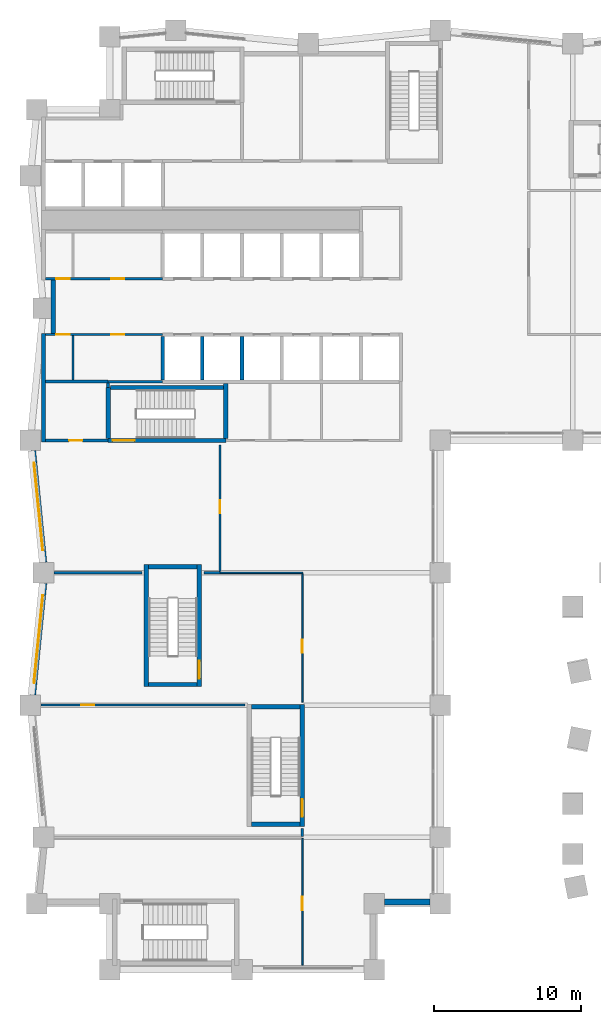
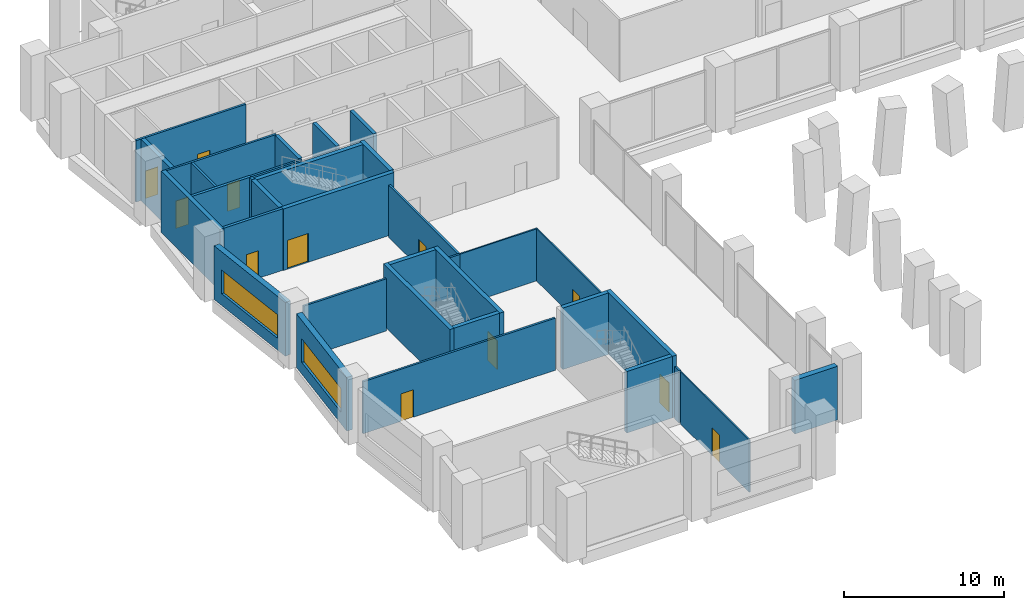
# One storey, part 10 of 17: 34 walls, 12 doors, 2 windows, 14 openings.
"""IFC4 building model written with IfcOpenShell, lengths in metres."""

from ifc_helpers import new_model, si_unit, direction, frame, frame_2d, origin, place, context, subcontext, project, spatial, rectangle, extrude, material, layer, layer_set, type_object, element, fill, save


model = new_model("IFC4")

# Units and contexts
model_context = context("Model", 3, precision=1e-05, world=origin(), true_north=direction((0.0, 1.0)))
body_context = subcontext(model_context, "Body", "Model", "MODEL_VIEW")
ifc_project = project(units=[si_unit("LENGTHUNIT", "METRE"), si_unit("AREAUNIT", "SQUARE_METRE"), si_unit("VOLUMEUNIT", "CUBIC_METRE"), si_unit("PLANEANGLEUNIT", "RADIAN"), si_unit("MASSUNIT", "GRAM", prefix="KILO")], contexts=[model_context])

# Site, building, storey
site_placement = place(None, origin())
site = spatial("IfcSite", under=ifc_project, at=site_placement, CompositionType="ELEMENT")
building_placement = place(site_placement, origin())
building = spatial("IfcBuilding", under=site, at=building_placement, Name="Brondeck Convention Tower", CompositionType="ELEMENT")
storey_placement = place(building_placement, frame((0.0, 0.0, 14.5)))
storey = spatial("IfcBuildingStorey", under=building, at=storey_placement, Name="L02", CompositionType="ELEMENT", Elevation=14.5)

# Walls
ifc_material_1 = material(Name="Concrete C80/95", Category="concrete")
ifc_layer_1 = layer(ifc_material_1, 0.300048828125)
ifc_layer_set_1 = layer_set([ifc_layer_1], Name="Core outer wall 300 Concrete C80/95")
wall_type_1 = type_object("IfcWallType", Name="Core outer wall 300 Concrete C80/95", PredefinedType="SHEAR", material=ifc_layer_set_1)
wall_1_placement = place(storey_placement, frame((0.0, 35.89990234375, 0.0), z_axis=(0.0, 0.0, 1.0), x_axis=(0.0, 1.0, 0.0)))
element("IfcWall", 1, at=wall_1_placement, inside=storey, type_object=wall_type_1, Name="L02 core wall", PredefinedType="SHEAR", context=body_context, shape_type="SweptSolid", body=[
    extrude(rectangle(XDim=7.375, YDim=0.300048828125, at=frame_2d((3.6875, 0.0))), origin(), (0.0, 0.0, 1.0), 4.699951171875),
])
wall_2_placement = place(storey_placement, frame((0.64990234375, 43.27490234375, 0.0), z_axis=(0.0, 0.0, 1.0), x_axis=(0.0, 1.0, 0.0)))
element("IfcWall", 2, at=wall_2_placement, inside=storey, type_object=wall_type_1, Name="L02 core wall", PredefinedType="SHEAR", context=body_context, shape_type="SweptSolid", body=[
    extrude(rectangle(XDim=3.650146484375, YDim=0.300048828125, at=frame_2d((1.8251953125, 0.0))), origin(), (0.0, 0.0, 1.0), 4.699951171875),
])
ifc_material_2 = material(Name="Fire-rated gypsum board partition")
ifc_layer_2 = layer(ifc_material_2, 0.14990234375)
ifc_layer_set_2 = layer_set([ifc_layer_2], Name="Core partition 150 EI 60")
wall_type_2 = type_object("IfcWallType", Name="Core partition 150 EI 60", PredefinedType="PARTITIONING", material=ifc_layer_set_2)
wall_3_placement = place(storey_placement, frame((4.39990234375, 40.0, 0.0), z_axis=(0.0, 0.0, 1.0), x_axis=(1.0, 0.0, 0.0)))
element("IfcWall", 3, at=wall_3_placement, inside=storey, type_object=wall_type_2, Name="L02 core wall", PredefinedType="PARTITIONING", context=body_context, shape_type="SweptSolid", body=[
    extrude(rectangle(XDim=3.7001953125, YDim=0.14990234375, at=frame_2d((1.85009765625, 0.0))), origin(), (0.0, 0.0, 1.0), 4.699951171875),
])

# Wall, openings, doors
wall_4_placement = place(storey_placement, frame((0.14990234375, 43.199951171875, 0.0), z_axis=(0.0, 0.0, 1.0), x_axis=(1.0, 0.0, 0.0)))
wall_4 = element("IfcWall", 4, at=wall_4_placement, inside=storey, type_object=wall_type_2, Name="L02 core wall", PredefinedType="PARTITIONING", context=body_context, shape_type="SweptSolid", body=[
    extrude(rectangle(XDim=7.9501953125, YDim=0.14990234375, at=frame_2d((3.97509765625, 0.0))), origin(), (0.0, 0.0, 1.0), 4.699951171875),
])
opening_1_placement = place(wall_4_placement, frame((0.72509765625, 0.0, 0.0)))
opening_1 = element("IfcOpeningElement", 5, at=opening_1_placement, cuts=wall_4, Name="Opening C04-09", PredefinedType="OPENING", context=body_context, shape_type="SweptSolid", body=[
    extrude(rectangle(XDim=0.89990234375, YDim=2.10009765625, at=frame_2d((0.449951171875, 1.050048828125))), frame((0.0, 0.0849609375, 0.0), z_axis=(0.0, -1.0, 0.0), x_axis=(1.0, 0.0, 0.0)), (0.0, 0.0, 1.0), 0.169921875),
])
opening_2_placement = place(wall_4_placement, frame((4.449951171875, 0.0, 0.0)))
opening_2 = element("IfcOpeningElement", 6, at=opening_2_placement, cuts=wall_4, Name="Opening C04-10", PredefinedType="OPENING", context=body_context, shape_type="SweptSolid", body=[
    extrude(rectangle(XDim=0.89990234375, YDim=2.10009765625, at=frame_2d((0.449951171875, 1.050048828125))), frame((0.0, 0.0849609375, 0.0), z_axis=(0.0, -1.0, 0.0), x_axis=(1.0, 0.0, 0.0)), (0.0, 0.0, 1.0), 0.169921875),
])
ifc_material_3 = material(Name="Steel fire door", Category="steel")
door_type_1 = type_object("IfcDoorType", Name="Room door 900x2100 EI 60", OperationType="NOTDEFINED", PredefinedType="DOOR", material=ifc_material_3)
door_1_placement = place(opening_1_placement, origin())
door_1 = element("IfcDoor", 7, at=door_1_placement, inside=storey, type_object=door_type_1, Name="L02 Room door FZ-S-0-1", OperationType="SINGLE_SWING_LEFT", OverallHeight=2.10009765625, OverallWidth=0.89990234375, PredefinedType="DOOR", context=body_context, shape_type="SweptSolid", body=[
    extrude(rectangle(XDim=0.89990234375, YDim=2.10009765625, at=frame_2d((0.449951171875, 1.050048828125))), frame((0.0, 0.02490234375, 0.0), z_axis=(0.0, -1.0, 0.0), x_axis=(1.0, 0.0, 0.0)), (0.0, 0.0, 1.0), 0.050048828125),
])
fill(opening_1, door_1)
door_2_placement = place(opening_2_placement, origin())
door_2 = element("IfcDoor", 8, at=door_2_placement, inside=storey, type_object=door_type_1, Name="L02 Room door FZ-S-0-2", OperationType="SINGLE_SWING_RIGHT", OverallHeight=2.10009765625, OverallWidth=0.89990234375, PredefinedType="DOOR", context=body_context, shape_type="SweptSolid", body=[
    extrude(rectangle(XDim=0.89990234375, YDim=2.10009765625, at=frame_2d((0.449951171875, 1.050048828125))), frame((0.0, 0.02490234375, 0.0), z_axis=(0.0, -1.0, 0.0), x_axis=(1.0, 0.0, 0.0)), (0.0, 0.0, 1.0), 0.050048828125),
])
fill(opening_2, door_2)

wall_5_placement = place(storey_placement, frame((0.14990234375, 47.0, 0.0), z_axis=(0.0, 0.0, 1.0), x_axis=(1.0, 0.0, 0.0)))
wall_5 = element("IfcWall", 9, at=wall_5_placement, inside=storey, type_object=wall_type_2, Name="L02 core wall", PredefinedType="PARTITIONING", context=body_context, shape_type="SweptSolid", body=[
    extrude(rectangle(XDim=7.9501953125, YDim=0.14990234375, at=frame_2d((3.97509765625, 0.0))), origin(), (0.0, 0.0, 1.0), 4.699951171875),
])
opening_3_placement = place(wall_5_placement, frame((0.72509765625, 0.0, 0.0)))
opening_3 = element("IfcOpeningElement", 10, at=opening_3_placement, cuts=wall_5, Name="Opening C04-07", PredefinedType="OPENING", context=body_context, shape_type="SweptSolid", body=[
    extrude(rectangle(XDim=0.89990234375, YDim=2.10009765625, at=frame_2d((0.449951171875, 1.050048828125))), frame((0.0, 0.0849609375, 0.0), z_axis=(0.0, -1.0, 0.0), x_axis=(1.0, 0.0, 0.0)), (0.0, 0.0, 1.0), 0.169921875),
])
opening_4_placement = place(wall_5_placement, frame((4.449951171875, 0.0, 0.0)))
opening_4 = element("IfcOpeningElement", 11, at=opening_4_placement, cuts=wall_5, Name="Opening C04-08", PredefinedType="OPENING", context=body_context, shape_type="SweptSolid", body=[
    extrude(rectangle(XDim=0.89990234375, YDim=2.10009765625, at=frame_2d((0.449951171875, 1.050048828125))), frame((0.0, 0.0849609375, 0.0), z_axis=(0.0, -1.0, 0.0), x_axis=(1.0, 0.0, 0.0)), (0.0, 0.0, 1.0), 0.169921875),
])
door_3_placement = place(opening_3_placement, origin())
door_3 = element("IfcDoor", 12, at=door_3_placement, inside=storey, type_object=door_type_1, Name="L02 Room door FZ-N-0-1", OperationType="SINGLE_SWING_RIGHT", OverallHeight=2.10009765625, OverallWidth=0.89990234375, PredefinedType="DOOR", context=body_context, shape_type="SweptSolid", body=[
    extrude(rectangle(XDim=0.89990234375, YDim=2.10009765625, at=frame_2d((0.449951171875, 1.050048828125))), frame((0.0, 0.02490234375, 0.0), z_axis=(0.0, -1.0, 0.0), x_axis=(1.0, 0.0, 0.0)), (0.0, 0.0, 1.0), 0.050048828125),
])
fill(opening_3, door_3)
door_4_placement = place(opening_4_placement, origin())
door_4 = element("IfcDoor", 13, at=door_4_placement, inside=storey, type_object=door_type_1, Name="L02 Room door FZ-N-0-2", OperationType="SINGLE_SWING_LEFT", OverallHeight=2.10009765625, OverallWidth=0.89990234375, PredefinedType="DOOR", context=body_context, shape_type="SweptSolid", body=[
    extrude(rectangle(XDim=0.89990234375, YDim=2.10009765625, at=frame_2d((0.449951171875, 1.050048828125))), frame((0.0, 0.02490234375, 0.0), z_axis=(0.0, -1.0, 0.0), x_axis=(1.0, 0.0, 0.0)), (0.0, 0.0, 1.0), 0.050048828125),
])
fill(opening_4, door_4)

# Walls
wall_6_placement = place(storey_placement, frame((2.0, 40.10009765625, 0.0), z_axis=(0.0, 0.0, 1.0), x_axis=(0.0, 1.0, 0.0)))
element("IfcWall", 14, at=wall_6_placement, inside=storey, type_object=wall_type_2, Name="L02 core wall", PredefinedType="PARTITIONING", context=body_context, shape_type="SweptSolid", body=[
    extrude(rectangle(XDim=3.02490234375, YDim=0.14990234375, at=frame_2d((1.512451171875, 0.0))), origin(), (0.0, 0.0, 1.0), 4.699951171875),
])
ifc_material_4 = material(Name="Limestone", Category="masonry")
ifc_layer_3 = layer(ifc_material_4, 0.10009765625, Name="Limestone facing")
ifc_material_5 = material(Name="Mineral wool")
ifc_layer_4 = layer(ifc_material_5, 0.159912109375, Name="Insulation")
ifc_material_6 = material(Name="Concrete C35/45", Category="concrete")
ifc_layer_5 = layer(ifc_material_6, 0.139892578125, Name="Backing")
ifc_layer_set_3 = layer_set([ifc_layer_3, ifc_layer_4, ifc_layer_5], Name="External wall, limestone cladding")
wall_type_3 = type_object("IfcWallType", Name="External wall, limestone cladding", PredefinedType="SOLIDWALL", material=ifc_layer_set_3)
wall_7_placement = place(storey_placement, frame((26.300048828125, 4.60009765625, 0.0), z_axis=(0.0, 0.0, 1.0), x_axis=(-1.0, 0.0, 0.0)))
element("IfcWall", 15, at=wall_7_placement, inside=storey, type_object=wall_type_3, Name="ENV-EW-L02-BASE-NC-SEB-02", PredefinedType="SOLIDWALL", context=body_context, shape_type="SweptSolid", body=[
    extrude(rectangle(XDim=3.10009765625, YDim=0.39990234375, at=frame_2d((1.550048828125, 0.0))), origin(), (0.0, 0.0, 1.0), 4.10009765625),
])

# Wall, opening, window
wall_8_placement = place(storey_placement, frame((0.02978515625, 27.70654296875, 0.0), z_axis=(0.0, 0.0, 1.0), x_axis=(-0.099478423711, 0.995039719416, 0.0)))
wall_8 = element("IfcWall", 16, at=wall_8_placement, inside=storey, type_object=wall_type_3, Name="ENV-EW-L02-BASE-B-W-07", PredefinedType="SOLIDWALL", context=body_context, shape_type="SweptSolid", body=[
    extrude(rectangle(XDim=7.644775390625, YDim=0.39990234375, at=frame_2d((3.822265625, 0.0))), origin(), (0.0, 0.0, 1.0), 4.10009765625),
])
opening_5_placement = place(wall_8_placement, frame((0.822509765625, 0.0, 0.89990234375)))
opening_5 = element("IfcOpeningElement", 17, at=opening_5_placement, cuts=wall_8, Name="Opening W4", PredefinedType="OPENING", context=body_context, shape_type="SweptSolid", body=[
    extrude(rectangle(XDim=6.0, YDim=1.800048828125, at=frame_2d((3.0, 0.89990234375))), frame((0.0, 0.2099609375, 0.0), z_axis=(0.0, -1.0, 0.0), x_axis=(1.0, 0.0, 0.0)), (0.0, 0.0, 1.0), 0.419921875),
])
ifc_material_7 = material(Name="Bronze tinted double glazing", Category="glass")
window_type = type_object("IfcWindowType", Name="Podium ribbon window, bronze tinted", PartitioningType="SINGLE_PANEL", PredefinedType="WINDOW", material=ifc_material_7)
window_1_placement = place(opening_5_placement, origin())
window_1 = element("IfcWindow", 18, at=window_1_placement, inside=storey, type_object=window_type, Name="ENV-WN-L02-BASE-B-W-07", OverallHeight=1.800048828125, OverallWidth=6.0, PartitioningType="SINGLE_PANEL", PredefinedType="WINDOW", context=body_context, shape_type="SweptSolid", body=[
    extrude(rectangle(XDim=6.0, YDim=1.800048828125, at=frame_2d((3.0, 0.89990234375))), frame((0.0, 0.030029296875, 0.0), z_axis=(0.0, -1.0, 0.0), x_axis=(1.0, 0.0, 0.0)), (0.0, 0.0, 1.0), 0.06005859375),
])
fill(opening_5, window_1)

wall_9_placement = place(storey_placement, frame((-0.730712890625, 18.6865234375, 0.0), z_axis=(0.0, 0.0, 1.0), x_axis=(0.099478423711, 0.995039719416, 0.0)))
wall_9 = element("IfcWall", 19, at=wall_9_placement, inside=storey, type_object=wall_type_3, Name="ENV-EW-L02-BASE-B-W-09", PredefinedType="SOLIDWALL", context=body_context, shape_type="SweptSolid", body=[
    extrude(rectangle(XDim=7.644775390625, YDim=0.39990234375, at=frame_2d((3.822265625, 0.0))), origin(), (0.0, 0.0, 1.0), 4.10009765625),
])
opening_6_placement = place(wall_9_placement, frame((0.822509765625, 0.0, 0.89990234375)))
opening_6 = element("IfcOpeningElement", 20, at=opening_6_placement, cuts=wall_9, Name="Opening W4", PredefinedType="OPENING", context=body_context, shape_type="SweptSolid", body=[
    extrude(rectangle(XDim=6.0, YDim=1.800048828125, at=frame_2d((3.0, 0.89990234375))), frame((0.0, 0.2099609375, 0.0), z_axis=(0.0, -1.0, 0.0), x_axis=(1.0, 0.0, 0.0)), (0.0, 0.0, 1.0), 0.419921875),
])
window_2_placement = place(opening_6_placement, origin())
window_2 = element("IfcWindow", 21, at=window_2_placement, inside=storey, type_object=window_type, Name="ENV-WN-L02-BASE-B-W-09", OverallHeight=1.800048828125, OverallWidth=6.0, PartitioningType="SINGLE_PANEL", PredefinedType="WINDOW", context=body_context, shape_type="SweptSolid", body=[
    extrude(rectangle(XDim=6.0, YDim=1.800048828125, at=frame_2d((3.0, 0.89990234375))), frame((0.0, 0.030029296875, 0.0), z_axis=(0.0, -1.0, 0.0), x_axis=(1.0, 0.0, 0.0)), (0.0, 0.0, 1.0), 0.06005859375),
])
fill(opening_6, window_2)

# Wall
ifc_material_8 = material(Name="Double gypsum board acoustic wall")
ifc_layer_6 = layer(ifc_material_8, 0.14990234375)
ifc_layer_set_4 = layer_set([ifc_layer_6], Name="Guest room party wall 150")
wall_type_4 = type_object("IfcWallType", Name="Guest room party wall 150", PredefinedType="PARTITIONING", material=ifc_layer_set_4)
wall_10_placement = place(storey_placement, frame((17.60009765625, 9.074951171875, 0.0), z_axis=(0.0, 0.0, 1.0), x_axis=(0.0, 1.0, 0.0)))
element("IfcWall", 22, at=wall_10_placement, inside=storey, type_object=wall_type_4, Name="FLR-L02-W003", PredefinedType="PARTITIONING", context=body_context, shape_type="SweptSolid", body=[
    extrude(rectangle(XDim=0.525146484375, YDim=0.14990234375, at=frame_2d((0.2626953125, 0.0))), origin(), (0.0, 0.0, 1.0), 3.97998046875),
])

# Wall, opening, door
wall_11_placement = place(storey_placement, frame((13.699951171875, 18.0, 0.0), z_axis=(0.0, 0.0, 1.0), x_axis=(-1.0, 0.0, 0.0)))
wall_11 = element("IfcWall", 23, at=wall_11_placement, inside=storey, type_object=wall_type_4, Name="FLR-L02-W004", PredefinedType="PARTITIONING", context=body_context, shape_type="SweptSolid", body=[
    extrude(rectangle(XDim=13.8798828125, YDim=0.14990234375, at=frame_2d((6.93994140625, 0.0))), origin(), (0.0, 0.0, 1.0), 3.97998046875),
])
opening_7_placement = place(wall_11_placement, frame((10.25, 0.0, 0.0)))
opening_7 = element("IfcOpeningElement", 24, at=opening_7_placement, cuts=wall_11, Name="Opening P-L02-012", PredefinedType="OPENING", context=body_context, shape_type="SweptSolid", body=[
    extrude(rectangle(XDim=0.89990234375, YDim=2.10009765625, at=frame_2d((0.449951171875, 1.050048828125))), frame((0.0, 0.0849609375, 0.0), z_axis=(0.0, -1.0, 0.0), x_axis=(1.0, 0.0, 0.0)), (0.0, 0.0, 1.0), 0.169921875),
])
ifc_material_9 = material(Name="Solid timber door leaf", Category="wood")
door_type_2 = type_object("IfcDoorType", Name="Single door 900", OperationType="NOTDEFINED", PredefinedType="DOOR", material=ifc_material_9)
door_5_placement = place(opening_7_placement, origin())
door_5 = element("IfcDoor", 25, at=door_5_placement, inside=storey, type_object=door_type_2, Name="Door P-L02-012", OperationType="SINGLE_SWING_RIGHT", OverallHeight=2.10009765625, OverallWidth=0.89990234375, PredefinedType="DOOR", context=body_context, shape_type="SweptSolid", body=[
    extrude(rectangle(XDim=0.89990234375, YDim=2.10009765625, at=frame_2d((0.449951171875, 1.050048828125))), frame((0.0, 0.02490234375, 0.0), z_axis=(0.0, -1.0, 0.0), x_axis=(1.0, 0.0, 0.0)), (0.0, 0.0, 1.0), 0.050048828125),
])
fill(opening_7, door_5)

# Walls
wall_12_placement = place(storey_placement, frame((0.719970703125, 27.0, 0.0), z_axis=(0.0, 0.0, 1.0), x_axis=(1.0, 0.0, 0.0)))
element("IfcWall", 26, at=wall_12_placement, inside=storey, type_object=wall_type_4, Name="FLR-L02-W006", PredefinedType="PARTITIONING", context=body_context, shape_type="SweptSolid", body=[
    extrude(rectangle(XDim=5.97998046875, YDim=0.14990234375, at=frame_2d((2.989990234375, 0.0))), origin(), (0.0, 0.0, 1.0), 3.97998046875),
])
wall_13_placement = place(storey_placement, frame((10.89990234375, 27.0, 0.0), z_axis=(0.0, 0.0, 1.0), x_axis=(1.0, 0.0, 0.0)))
element("IfcWall", 27, at=wall_13_placement, inside=storey, type_object=wall_type_4, Name="FLR-L02-W007", PredefinedType="PARTITIONING", context=body_context, shape_type="SweptSolid", body=[
    extrude(rectangle(XDim=1.10009765625, YDim=0.14990234375, at=frame_2d((0.550048828125, 0.0))), origin(), (0.0, 0.0, 1.0), 3.97998046875),
])

# Wall, opening, door
wall_14_placement = place(storey_placement, frame((12.0, 27.074951171875, 0.0), z_axis=(0.0, 0.0, 1.0), x_axis=(0.0, 1.0, 0.0)))
wall_14 = element("IfcWall", 28, at=wall_14_placement, inside=storey, type_object=wall_type_4, Name="FLR-L02-W009", PredefinedType="PARTITIONING", context=body_context, shape_type="SweptSolid", body=[
    extrude(rectangle(XDim=8.625, YDim=0.14990234375, at=frame_2d((4.3125, 0.0))), origin(), (0.0, 0.0, 1.0), 3.97998046875),
])
opening_8_placement = place(wall_14_placement, frame((3.97509765625, 0.0, 0.0)))
opening_8 = element("IfcOpeningElement", 29, at=opening_8_placement, cuts=wall_14, Name="Opening P-L02-009", PredefinedType="OPENING", context=body_context, shape_type="SweptSolid", body=[
    extrude(rectangle(XDim=0.89990234375, YDim=2.10009765625, at=frame_2d((0.449951171875, 1.050048828125))), frame((0.0, 0.0849609375, 0.0), z_axis=(0.0, -1.0, 0.0), x_axis=(1.0, 0.0, 0.0)), (0.0, 0.0, 1.0), 0.169921875),
])
door_6_placement = place(opening_8_placement, origin())
door_6 = element("IfcDoor", 30, at=door_6_placement, inside=storey, type_object=door_type_2, Name="Door P-L02-009", OperationType="SINGLE_SWING_RIGHT", OverallHeight=2.10009765625, OverallWidth=0.89990234375, PredefinedType="DOOR", context=body_context, shape_type="SweptSolid", body=[
    extrude(rectangle(XDim=0.89990234375, YDim=2.10009765625, at=frame_2d((0.449951171875, 1.050048828125))), frame((0.0, 0.02490234375, 0.0), z_axis=(0.0, -1.0, 0.0), x_axis=(1.0, 0.0, 0.0)), (0.0, 0.0, 1.0), 0.050048828125),
])
fill(opening_8, door_6)

# Walls
ifc_layer_7 = layer(ifc_material_1, 0.25)
ifc_layer_set_5 = layer_set([ifc_layer_7], Name="Lift shaft wall 250 Concrete C80/95")
wall_type_5 = type_object("IfcWallType", Name="Lift shaft wall 250 Concrete C80/95", PredefinedType="SHEAR", material=ifc_layer_set_5)
for number, where, z_axis, x_axis, name in (
    (31, (8.10009765625, 40.125, 0.0), (0.0, 0.0, 1.0), (0.0, 1.0, 0.0), "L02 core wall"),
    (32, (10.800048828125, 40.125, 0.0), (0.0, 0.0, 1.0), (0.0, 1.0, 0.0), "L02 core wall"),
    (33, (13.5, 40.125, 0.0), (0.0, 0.0, 1.0), (0.0, 1.0, 0.0), "L02 core wall"),
):
    element("IfcWall", number, at=place(storey_placement, frame(where, z_axis=z_axis, x_axis=x_axis)), inside=storey, type_object=wall_type_5, Name=name, PredefinedType="SHEAR", context=body_context, shape_type="SweptSolid", body=[
        extrude(rectangle(XDim=2.949951171875, YDim=0.25, at=frame_2d((1.47509765625, 0.0))), origin(), (0.0, 0.0, 1.0), 4.699951171875),
    ])

# Wall, opening, door
ifc_layer_8 = layer(ifc_material_2, 0.199951171875)
ifc_layer_set_6 = layer_set([ifc_layer_8], Name="Riser wall 200 EI 120")
wall_type_6 = type_object("IfcWallType", Name="Riser wall 200 EI 120", PredefinedType="PARTITIONING", material=ifc_layer_set_6)
wall_15_placement = place(storey_placement, frame((0.14990234375, 36.0, 0.0), z_axis=(0.0, 0.0, 1.0), x_axis=(1.0, 0.0, 0.0)))
wall_15 = element("IfcWall", 34, at=wall_15_placement, inside=storey, type_object=wall_type_6, Name="L02 core wall", PredefinedType="PARTITIONING", context=body_context, shape_type="SweptSolid", body=[
    extrude(rectangle(XDim=4.25, YDim=0.199951171875, at=frame_2d((2.125, 0.0))), origin(), (0.0, 0.0, 1.0), 4.699951171875),
])
opening_9_placement = place(wall_15_placement, frame((1.60009765625, 0.0, 0.0)))
opening_9 = element("IfcOpeningElement", 35, at=opening_9_placement, cuts=wall_15, Name="Opening C04-06", PredefinedType="OPENING", context=body_context, shape_type="SweptSolid", body=[
    extrude(rectangle(XDim=0.89990234375, YDim=2.10009765625, at=frame_2d((0.449951171875, 1.050048828125))), frame((0.0, 0.10986328125, 0.0), z_axis=(0.0, -1.0, 0.0), x_axis=(1.0, 0.0, 0.0)), (0.0, 0.0, 1.0), 0.219970703125),
])
door_type_3 = type_object("IfcDoorType", Name="Riser door 900x2100 EI 120", OperationType="NOTDEFINED", PredefinedType="DOOR", material=ifc_material_3)
door_7_placement = place(opening_9_placement, origin())
door_7 = element("IfcDoor", 36, at=door_7_placement, inside=storey, type_object=door_type_3, Name="L02 Riser door FRW-1", OperationType="SINGLE_SWING_LEFT", OverallHeight=2.10009765625, OverallWidth=0.89990234375, PredefinedType="DOOR", context=body_context, shape_type="SweptSolid", body=[
    extrude(rectangle(XDim=0.89990234375, YDim=2.10009765625, at=frame_2d((0.449951171875, 1.050048828125))), frame((0.0, 0.02490234375, 0.0), z_axis=(0.0, -1.0, 0.0), x_axis=(1.0, 0.0, 0.0)), (0.0, 0.0, 1.0), 0.050048828125),
])
fill(opening_9, door_7)

# Walls
wall_16_placement = place(storey_placement, frame((0.14990234375, 40.0, 0.0), z_axis=(0.0, 0.0, 1.0), x_axis=(1.0, 0.0, 0.0)))
element("IfcWall", 37, at=wall_16_placement, inside=storey, type_object=wall_type_6, Name="L02 core wall", PredefinedType="PARTITIONING", context=body_context, shape_type="SweptSolid", body=[
    extrude(rectangle(XDim=4.25, YDim=0.199951171875, at=frame_2d((2.125, 0.0))), origin(), (0.0, 0.0, 1.0), 4.699951171875),
])
wall_17_placement = place(storey_placement, frame((4.39990234375, 39.60009765625, 0.0), z_axis=(0.0, 0.0, 1.0), x_axis=(0.0, 1.0, 0.0)))
element("IfcWall", 38, at=wall_17_placement, inside=storey, type_object=wall_type_6, Name="L02 core wall", PredefinedType="PARTITIONING", context=body_context, shape_type="SweptSolid", body=[
    extrude(rectangle(XDim=0.2998046875, YDim=0.199951171875, at=frame_2d((0.14990234375, 0.0))), origin(), (0.0, 0.0, 1.0), 4.699951171875),
])

# Wall, opening, door
ifc_material_10 = material(Name="Gypsum board partition on steel studs", Category="steel")
ifc_layer_9 = layer(ifc_material_10, 0.10009765625)
ifc_layer_set_7 = layer_set([ifc_layer_9], Name="Room partition 100")
wall_type_7 = type_object("IfcWallType", Name="Room partition 100", PredefinedType="PARTITIONING", material=ifc_layer_set_7)
wall_18_placement = place(storey_placement, frame((17.60009765625, 0.320068359375, 0.0), z_axis=(0.0, 0.0, 1.0), x_axis=(0.0, 1.0, 0.0)))
wall_18 = element("IfcWall", 39, at=wall_18_placement, inside=storey, type_object=wall_type_7, Name="FLR-L02-W001", PredefinedType="PARTITIONING", context=body_context, shape_type="SweptSolid", body=[
    extrude(rectangle(XDim=8.60498046875, YDim=0.10009765625, at=frame_2d((4.302490234375, 0.0))), origin(), (0.0, 0.0, 1.0), 3.97998046875),
])
opening_10_placement = place(wall_18_placement, frame((3.72998046875, 0.0, 0.0)))
opening_10 = element("IfcOpeningElement", 40, at=opening_10_placement, cuts=wall_18, Name="Opening P-L02-010", PredefinedType="OPENING", context=body_context, shape_type="SweptSolid", body=[
    extrude(rectangle(XDim=0.89990234375, YDim=2.10009765625, at=frame_2d((0.449951171875, 1.050048828125))), frame((0.0, 0.06005859375, 0.0), z_axis=(0.0, -1.0, 0.0), x_axis=(1.0, 0.0, 0.0)), (0.0, 0.0, 1.0), 0.1201171875),
])
door_8_placement = place(opening_10_placement, origin())
door_8 = element("IfcDoor", 41, at=door_8_placement, inside=storey, type_object=door_type_2, Name="Door P-L02-010", OperationType="SINGLE_SWING_LEFT", OverallHeight=2.10009765625, OverallWidth=0.89990234375, PredefinedType="DOOR", context=body_context, shape_type="SweptSolid", body=[
    extrude(rectangle(XDim=0.89990234375, YDim=2.10009765625, at=frame_2d((0.449951171875, 1.050048828125))), frame((0.0, 0.02490234375, 0.0), z_axis=(0.0, -1.0, 0.0), x_axis=(1.0, 0.0, 0.0)), (0.0, 0.0, 1.0), 0.050048828125),
])
fill(opening_10, door_8)

wall_19_placement = place(storey_placement, frame((17.60009765625, 18.199951171875, 0.0), z_axis=(0.0, 0.0, 1.0), x_axis=(0.0, 1.0, 0.0)))
wall_19 = element("IfcWall", 42, at=wall_19_placement, inside=storey, type_object=wall_type_7, Name="FLR-L02-W005", PredefinedType="PARTITIONING", context=body_context, shape_type="SweptSolid", body=[
    extrude(rectangle(XDim=8.75, YDim=0.10009765625, at=frame_2d((4.375, 0.0))), origin(), (0.0, 0.0, 1.0), 3.97998046875),
])
opening_11_placement = place(wall_19_placement, frame((3.35009765625, 0.0, 0.0)))
opening_11 = element("IfcOpeningElement", 43, at=opening_11_placement, cuts=wall_19, Name="Opening P-L02-011", PredefinedType="OPENING", context=body_context, shape_type="SweptSolid", body=[
    extrude(rectangle(XDim=0.89990234375, YDim=2.10009765625, at=frame_2d((0.449951171875, 1.050048828125))), frame((0.0, 0.06005859375, 0.0), z_axis=(0.0, -1.0, 0.0), x_axis=(1.0, 0.0, 0.0)), (0.0, 0.0, 1.0), 0.1201171875),
])
door_9_placement = place(opening_11_placement, origin())
door_9 = element("IfcDoor", 44, at=door_9_placement, inside=storey, type_object=door_type_2, Name="Door P-L02-011", OperationType="SINGLE_SWING_LEFT", OverallHeight=2.10009765625, OverallWidth=0.89990234375, PredefinedType="DOOR", context=body_context, shape_type="SweptSolid", body=[
    extrude(rectangle(XDim=0.89990234375, YDim=2.10009765625, at=frame_2d((0.449951171875, 1.050048828125))), frame((0.0, 0.02490234375, 0.0), z_axis=(0.0, -1.0, 0.0), x_axis=(1.0, 0.0, 0.0)), (0.0, 0.0, 1.0), 0.050048828125),
])
fill(opening_11, door_9)

# Walls
wall_20_placement = place(storey_placement, frame((17.64990234375, 27.0, 0.0), z_axis=(0.0, 0.0, 1.0), x_axis=(-1.0, 0.0, 0.0)))
element("IfcWall", 45, at=wall_20_placement, inside=storey, type_object=wall_type_7, Name="FLR-L02-W008", PredefinedType="PARTITIONING", context=body_context, shape_type="SweptSolid", body=[
    extrude(rectangle(XDim=5.64990234375, YDim=0.10009765625, at=frame_2d((2.824951171875, 0.0))), origin(), (0.0, 0.0, 1.0), 3.97998046875),
])
ifc_layer_10 = layer(ifc_material_1, 0.300048828125)
ifc_layer_set_8 = layer_set([ifc_layer_10], Name="Stair enclosure wall 300 Concrete C80/95")
wall_type_8 = type_object("IfcWallType", Name="Stair enclosure wall 300 Concrete C80/95", PredefinedType="SHEAR", material=ifc_layer_set_8)
for number, where, z_axis, x_axis, name in (
    (46, (14.14990234375, 9.89990234375, 0.0), (0.0, 0.0, 1.0), (1.0, 0.0, 0.0), "L02 core wall"),
    (47, (14.14990234375, 17.89990234375, 0.0), (0.0, 0.0, 1.0), (1.0, 0.0, 0.0), "L02 core wall"),
    (48, (7.14990234375, 19.39990234375, 0.0), (0.0, 0.0, 1.0), (1.0, 0.0, 0.0), "L02 core wall"),
    (49, (7.14990234375, 27.39990234375, 0.0), (0.0, 0.0, 1.0), (1.0, 0.0, 0.0), "L02 core wall"),
):
    element("IfcWall", number, at=place(storey_placement, frame(where, z_axis=z_axis, x_axis=x_axis)), inside=storey, type_object=wall_type_8, Name=name, PredefinedType="SHEAR", context=body_context, shape_type="SweptSolid", body=[
        extrude(rectangle(XDim=3.300048828125, YDim=0.300048828125, at=frame_2d((1.64990234375, 0.0))), origin(), (0.0, 0.0, 1.0), 4.699951171875),
    ])

# Wall, opening, door
wall_21_placement = place(storey_placement, frame((4.39990234375, 36.0, 0.0), z_axis=(0.0, 0.0, 1.0), x_axis=(1.0, 0.0, 0.0)))
wall_21 = element("IfcWall", 50, at=wall_21_placement, inside=storey, type_object=wall_type_8, Name="L02 core wall", PredefinedType="SHEAR", context=body_context, shape_type="SweptSolid", body=[
    extrude(rectangle(XDim=8.0, YDim=0.300048828125, at=frame_2d((4.0, 0.0))), origin(), (0.0, 0.0, 1.0), 4.699951171875),
])
opening_12_placement = place(wall_21_placement, frame((0.300048828125, 0.0, 0.0)))
opening_12 = element("IfcOpeningElement", 51, at=opening_12_placement, cuts=wall_21, Name="Opening C04-15", PredefinedType="OPENING", context=body_context, shape_type="SweptSolid", body=[
    extrude(rectangle(XDim=1.5, YDim=2.199951171875, at=frame_2d((0.75, 1.10009765625))), frame((0.0, 0.159912109375, 0.0), z_axis=(0.0, -1.0, 0.0), x_axis=(1.0, 0.0, 0.0)), (0.0, 0.0, 1.0), 0.320068359375),
])
door_type_4 = type_object("IfcDoorType", Name="Stair door 1500x2200 EI 90", OperationType="NOTDEFINED", PredefinedType="DOOR", material=ifc_material_3)
door_10_placement = place(opening_12_placement, origin())
door_10 = element("IfcDoor", 52, at=door_10_placement, inside=storey, type_object=door_type_4, Name="L02 Stair door ST-1", OperationType="SINGLE_SWING_RIGHT", OverallHeight=2.199951171875, OverallWidth=1.5, PredefinedType="DOOR", context=body_context, shape_type="SweptSolid", body=[
    extrude(rectangle(XDim=1.5, YDim=2.199951171875, at=frame_2d((0.75, 1.10009765625))), frame((0.0, 0.02490234375, 0.0), z_axis=(0.0, -1.0, 0.0), x_axis=(1.0, 0.0, 0.0)), (0.0, 0.0, 1.0), 0.050048828125),
])
fill(opening_12, door_10)

# Walls
wall_22_placement = place(storey_placement, frame((4.550048828125, 39.60009765625, 0.0), z_axis=(0.0, 0.0, 1.0), x_axis=(1.0, 0.0, 0.0)))
element("IfcWall", 53, at=wall_22_placement, inside=storey, type_object=wall_type_8, Name="L02 core wall", PredefinedType="SHEAR", context=body_context, shape_type="SweptSolid", body=[
    extrude(rectangle(XDim=7.699951171875, YDim=0.300048828125, at=frame_2d((3.85009765625, 0.0))), origin(), (0.0, 0.0, 1.0), 4.699951171875),
])
wall_23_placement = place(storey_placement, frame((4.39990234375, 36.14990234375, 0.0), z_axis=(0.0, 0.0, 1.0), x_axis=(0.0, 1.0, 0.0)))
element("IfcWall", 54, at=wall_23_placement, inside=storey, type_object=wall_type_8, Name="L02 core wall", PredefinedType="SHEAR", context=body_context, shape_type="SweptSolid", body=[
    extrude(rectangle(XDim=3.4501953125, YDim=0.300048828125, at=frame_2d((1.72509765625, 0.0))), origin(), (0.0, 0.0, 1.0), 4.699951171875),
])
wall_24_placement = place(storey_placement, frame((7.0, 19.25, 0.0), z_axis=(0.0, 0.0, 1.0), x_axis=(0.0, 1.0, 0.0)))
element("IfcWall", 55, at=wall_24_placement, inside=storey, type_object=wall_type_8, Name="L02 core wall", PredefinedType="SHEAR", context=body_context, shape_type="SweptSolid", body=[
    extrude(rectangle(XDim=8.300048828125, YDim=0.300048828125, at=frame_2d((4.14990234375, 0.0))), origin(), (0.0, 0.0, 1.0), 4.699951171875),
])

# Wall, opening, door
wall_25_placement = place(storey_placement, frame((10.60009765625, 19.25, 0.0), z_axis=(0.0, 0.0, 1.0), x_axis=(0.0, 1.0, 0.0)))
wall_25 = element("IfcWall", 56, at=wall_25_placement, inside=storey, type_object=wall_type_8, Name="L02 core wall", PredefinedType="SHEAR", context=body_context, shape_type="SweptSolid", body=[
    extrude(rectangle(XDim=8.300048828125, YDim=0.300048828125, at=frame_2d((4.14990234375, 0.0))), origin(), (0.0, 0.0, 1.0), 4.699951171875),
])
opening_13_placement = place(wall_25_placement, frame((0.550048828125, 0.0, 0.0)))
opening_13 = element("IfcOpeningElement", 57, at=opening_13_placement, cuts=wall_25, Name="Opening C04-20", PredefinedType="OPENING", context=body_context, shape_type="SweptSolid", body=[
    extrude(rectangle(XDim=1.199951171875, YDim=2.199951171875, at=frame_2d((0.60009765625, 1.10009765625))), frame((0.0, 0.159912109375, 0.0), z_axis=(0.0, -1.0, 0.0), x_axis=(1.0, 0.0, 0.0)), (0.0, 0.0, 1.0), 0.320068359375),
])
door_type_5 = type_object("IfcDoorType", Name="Stair door 1200x2200 EI 90", OperationType="NOTDEFINED", PredefinedType="DOOR", material=ifc_material_3)
door_11_placement = place(opening_13_placement, origin())
door_11 = element("IfcDoor", 58, at=door_11_placement, inside=storey, type_object=door_type_5, Name="L02 Stair door ST-BE", OperationType="SINGLE_SWING_RIGHT", OverallHeight=2.199951171875, OverallWidth=1.199951171875, PredefinedType="DOOR", context=body_context, shape_type="SweptSolid", body=[
    extrude(rectangle(XDim=1.199951171875, YDim=2.199951171875, at=frame_2d((0.60009765625, 1.10009765625))), frame((0.0, 0.02490234375, 0.0), z_axis=(0.0, -1.0, 0.0), x_axis=(1.0, 0.0, 0.0)), (0.0, 0.0, 1.0), 0.050048828125),
])
fill(opening_13, door_11)

# Wall
wall_26_placement = place(storey_placement, frame((12.39990234375, 36.14990234375, 0.0), z_axis=(0.0, 0.0, 1.0), x_axis=(0.0, 1.0, 0.0)))
element("IfcWall", 59, at=wall_26_placement, inside=storey, type_object=wall_type_8, Name="L02 core wall", PredefinedType="SHEAR", context=body_context, shape_type="SweptSolid", body=[
    extrude(rectangle(XDim=3.72509765625, YDim=0.300048828125, at=frame_2d((1.862548828125, 0.0))), origin(), (0.0, 0.0, 1.0), 4.699951171875),
])

# Wall, opening, door
wall_27_placement = place(storey_placement, frame((17.60009765625, 9.75, 0.0), z_axis=(0.0, 0.0, 1.0), x_axis=(0.0, 1.0, 0.0)))
wall_27 = element("IfcWall", 60, at=wall_27_placement, inside=storey, type_object=wall_type_8, Name="L02 core wall", PredefinedType="SHEAR", context=body_context, shape_type="SweptSolid", body=[
    extrude(rectangle(XDim=8.300048828125, YDim=0.300048828125, at=frame_2d((4.14990234375, 0.0))), origin(), (0.0, 0.0, 1.0), 4.699951171875),
])
opening_14_placement = place(wall_27_placement, frame((0.64990234375, 0.0, 0.0)))
opening_14 = element("IfcOpeningElement", 61, at=opening_14_placement, cuts=wall_27, Name="Opening C04-21", PredefinedType="OPENING", context=body_context, shape_type="SweptSolid", body=[
    extrude(rectangle(XDim=1.199951171875, YDim=2.199951171875, at=frame_2d((0.60009765625, 1.10009765625))), frame((0.0, 0.159912109375, 0.0), z_axis=(0.0, -1.0, 0.0), x_axis=(1.0, 0.0, 0.0)), (0.0, 0.0, 1.0), 0.320068359375),
])
door_12_placement = place(opening_14_placement, origin())
door_12 = element("IfcDoor", 62, at=door_12_placement, inside=storey, type_object=door_type_5, Name="L02 Stair door ST-BF", OperationType="SINGLE_SWING_LEFT", OverallHeight=2.199951171875, OverallWidth=1.199951171875, PredefinedType="DOOR", context=body_context, shape_type="SweptSolid", body=[
    extrude(rectangle(XDim=1.199951171875, YDim=2.199951171875, at=frame_2d((0.60009765625, 1.10009765625))), frame((0.0, 0.02490234375, 0.0), z_axis=(0.0, -1.0, 0.0), x_axis=(1.0, 0.0, 0.0)), (0.0, 0.0, 1.0), 0.050048828125),
])
fill(opening_14, door_12)

save(model, "model.ifc")
